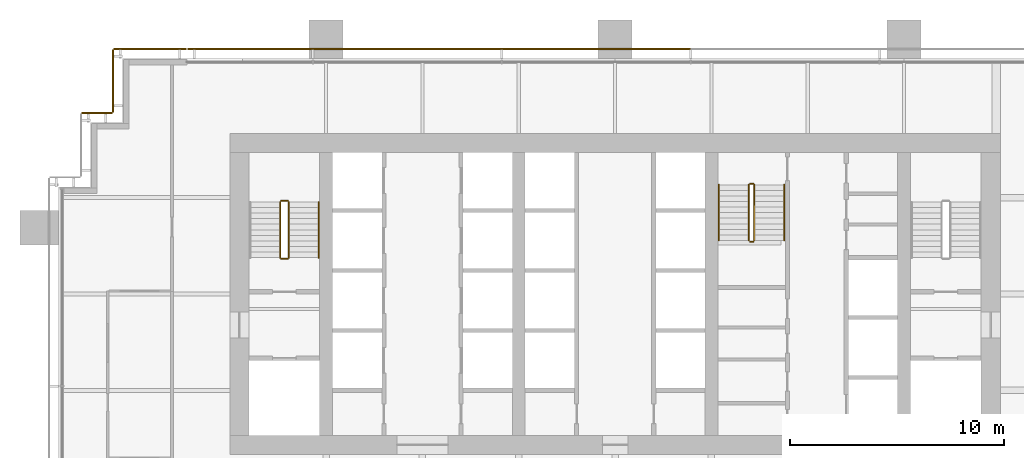
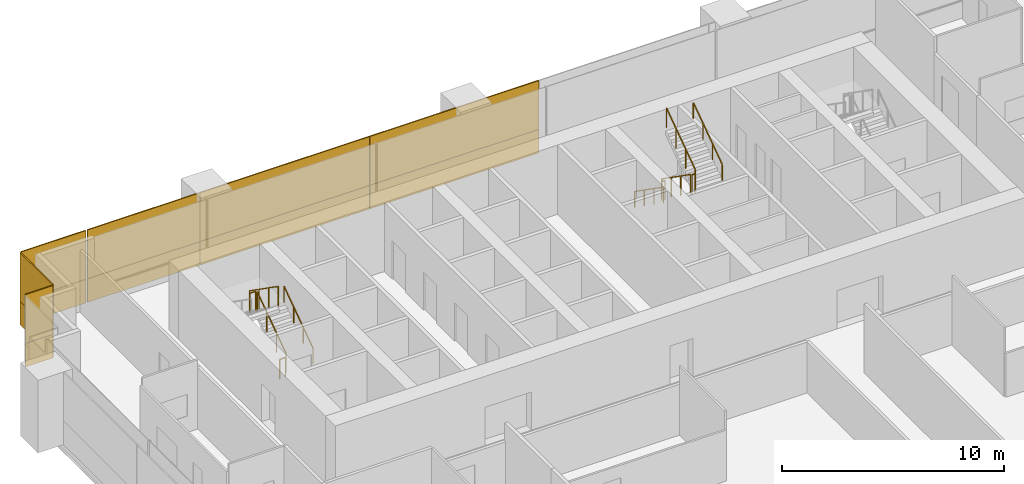
# One storey, part 18 of 19: 12 coverings, 11 railings.
"""IFC4 building model written with IfcOpenShell, lengths in metres."""

from ifc_helpers import new_model, si_unit, direction, frame, origin, origin_2d, place, context, subcontext, project, spatial, rectangle, extrude, material, layer, layer_set, type_object, element, save


model = new_model("IFC4")

# Units and contexts
model_context = context("Model", 3, precision=1e-05, world=origin(), true_north=direction((0.0, 1.0)))
body_context = subcontext(model_context, "Body", "Model", "MODEL_VIEW")
ifc_project = project(units=[si_unit("LENGTHUNIT", "METRE"), si_unit("AREAUNIT", "SQUARE_METRE"), si_unit("VOLUMEUNIT", "CUBIC_METRE"), si_unit("PLANEANGLEUNIT", "RADIAN"), si_unit("MASSUNIT", "GRAM", prefix="KILO")], contexts=[model_context])

# Site, building, storey
site_placement = place(None, origin())
site = spatial("IfcSite", under=ifc_project, at=site_placement, CompositionType="ELEMENT")
building_placement = place(site_placement, origin())
building = spatial("IfcBuilding", under=site, at=building_placement, Name="Rattan Terrace Tower", CompositionType="ELEMENT")
storey_placement = place(building_placement, frame((0.0, 0.0, 99.699951171875)))
storey = spatial("IfcBuildingStorey", under=building, at=storey_placement, Name="L22", CompositionType="ELEMENT", Elevation=99.699951171875)

# Railings
ifc_material_1 = material(Name="Powder-coated steel guard", Category="steel")
railing_type_1 = type_object("IfcRailingType", Name="Core stair guard", PredefinedType="GUARDRAIL", material=ifc_material_1)
railing_1_placement = place(storey_placement, frame((-15.25, 1.699951171875, 0.181884765625)))
element("IfcRailing", 1, at=railing_1_placement, inside=storey, type_object=railing_type_1, Name="L22 S1 stair guard 1", PredefinedType="GUARDRAIL", context=body_context, shape_type="SweptSolid", body=[
    extrude(rectangle(XDim=0.048095703125, YDim=0.048095703125, at=origin_2d()), frame((0.0, 0.0, 1.076171875), z_axis=(0.0, 0.819521025635, 0.573049115296), x_axis=(-1.0, 0.0, 0.0)), (0.0, 0.0, 1.0), 3.172607421875),
    extrude(rectangle(XDim=0.0419921875, YDim=0.0419921875, at=origin_2d()), origin(), (0.0, 0.0, 1.0), 1.052001953125),
    extrude(rectangle(XDim=0.0419921875, YDim=0.0419921875, at=origin_2d()), frame((0.0, 0.86669921875, 0.60595703125)), (0.0, 0.0, 1.0), 1.052001953125),
    extrude(rectangle(XDim=0.0419921875, YDim=0.0419921875, at=origin_2d()), frame((0.0, 1.7333984375, 1.212158203125)), (0.0, 0.0, 1.0), 1.052001953125),
    extrude(rectangle(XDim=0.0419921875, YDim=0.0419921875, at=origin_2d()), frame((0.0, 2.60009765625, 1.818115234375)), (0.0, 0.0, 1.0), 1.052001953125),
])
railing_2_placement = place(storey_placement, frame((-15.300048828125, 4.35009765625, 2.0)))
element("IfcRailing", 2, at=railing_2_placement, inside=storey, type_object=railing_type_1, Name="L22 S1 stair guard 2", PredefinedType="GUARDRAIL", context=body_context, shape_type="SweptSolid", body=[
    extrude(rectangle(XDim=0.048095703125, YDim=0.048095703125, at=origin_2d()), frame((0.0, 0.0, 1.076171875), z_axis=(-1.0, 0.0, 0.0), x_axis=(0.0, -1.0, 0.0)), (0.0, 0.0, 1.0), 0.300048828125),
    extrude(rectangle(XDim=0.0419921875, YDim=0.0419921875, at=origin_2d()), origin(), (0.0, 0.0, 1.0), 1.052001953125),
    extrude(rectangle(XDim=0.0419921875, YDim=0.0419921875, at=origin_2d()), frame((-0.300048828125, 0.0, 0.0)), (0.0, 0.0, 1.0), 1.052001953125),
])
railing_3_placement = place(storey_placement, frame((-15.64990234375, 4.300048828125, 2.181884765625)))
element("IfcRailing", 3, at=railing_3_placement, inside=storey, type_object=railing_type_1, Name="L22 S1 stair guard 3", PredefinedType="GUARDRAIL", context=body_context, shape_type="SweptSolid", body=[
    extrude(rectangle(XDim=0.048095703125, YDim=0.048095703125, at=origin_2d()), frame((0.0, 0.0, 1.076171875), z_axis=(0.0, -0.819521025635, 0.573049115296), x_axis=(1.0, 0.0, 0.0)), (0.0, 0.0, 1.0), 3.172607421875),
    extrude(rectangle(XDim=0.0419921875, YDim=0.0419921875, at=origin_2d()), origin(), (0.0, 0.0, 1.0), 1.052001953125),
    extrude(rectangle(XDim=0.0419921875, YDim=0.0419921875, at=origin_2d()), frame((0.0, -0.86669921875, 0.60595703125)), (0.0, 0.0, 1.0), 1.052001953125),
    extrude(rectangle(XDim=0.0419921875, YDim=0.0419921875, at=origin_2d()), frame((0.0, -1.7333984375, 1.212158203125)), (0.0, 0.0, 1.0), 1.052001953125),
    extrude(rectangle(XDim=0.0419921875, YDim=0.0419921875, at=origin_2d()), frame((0.0, -2.60009765625, 1.818115234375)), (0.0, 0.0, 1.0), 1.052001953125),
])
railing_4_placement = place(storey_placement, frame((-15.300048828125, 1.64990234375, 0.0)))
element("IfcRailing", 4, at=railing_4_placement, inside=storey, type_object=railing_type_1, Name="L22 S1 stair guard 4", PredefinedType="GUARDRAIL", context=body_context, shape_type="SweptSolid", body=[
    extrude(rectangle(XDim=0.048095703125, YDim=0.048095703125, at=origin_2d()), frame((0.0, 0.0, 1.076171875), z_axis=(-1.0, 0.0, 0.0), x_axis=(0.0, -1.0, 0.0)), (0.0, 0.0, 1.0), 0.300048828125),
    extrude(rectangle(XDim=0.0419921875, YDim=0.0419921875, at=origin_2d()), origin(), (0.0, 0.0, 1.0), 1.052001953125),
    extrude(rectangle(XDim=0.0419921875, YDim=0.0419921875, at=origin_2d()), frame((-0.300048828125, 0.0, 0.0)), (0.0, 0.0, 1.0), 1.052001953125),
])
railing_5_placement = place(storey_placement, frame((6.25, 5.10009765625, 0.181884765625)))
element("IfcRailing", 5, at=railing_5_placement, inside=storey, type_object=railing_type_1, Name="L22 S3 stair guard 1", PredefinedType="GUARDRAIL", context=body_context, shape_type="SweptSolid", body=[
    extrude(rectangle(XDim=0.048095703125, YDim=0.048095703125, at=origin_2d()), frame((0.0, 0.0, 1.076171875), z_axis=(0.0, -0.819521025635, 0.573049115296), x_axis=(1.0, 0.0, 0.0)), (0.0, 0.0, 1.0), 3.172607421875),
    extrude(rectangle(XDim=0.0419921875, YDim=0.0419921875, at=origin_2d()), origin(), (0.0, 0.0, 1.0), 1.052001953125),
    extrude(rectangle(XDim=0.0419921875, YDim=0.0419921875, at=origin_2d()), frame((0.0, -0.86669921875, 0.60595703125)), (0.0, 0.0, 1.0), 1.052001953125),
    extrude(rectangle(XDim=0.0419921875, YDim=0.0419921875, at=origin_2d()), frame((0.0, -1.7333984375, 1.212158203125)), (0.0, 0.0, 1.0), 1.052001953125),
    extrude(rectangle(XDim=0.0419921875, YDim=0.0419921875, at=origin_2d()), frame((0.0, -2.60009765625, 1.818115234375)), (0.0, 0.0, 1.0), 1.052001953125),
])
railing_6_placement = place(storey_placement, frame((6.300048828125, 2.449951171875, 2.0)))
element("IfcRailing", 6, at=railing_6_placement, inside=storey, type_object=railing_type_1, Name="L22 S3 stair guard 2", PredefinedType="GUARDRAIL", context=body_context, shape_type="SweptSolid", body=[
    extrude(rectangle(XDim=0.048095703125, YDim=0.048095703125, at=origin_2d()), frame((0.0, 0.0, 1.076171875), z_axis=(1.0, 0.0, 0.0), x_axis=(0.0, 1.0, 0.0)), (0.0, 0.0, 1.0), 0.14990234375),
    extrude(rectangle(XDim=0.0419921875, YDim=0.0419921875, at=origin_2d()), origin(), (0.0, 0.0, 1.0), 1.052001953125),
    extrude(rectangle(XDim=0.0419921875, YDim=0.0419921875, at=origin_2d()), frame((0.14990234375, 0.0, 0.0)), (0.0, 0.0, 1.0), 1.052001953125),
])
railing_7_placement = place(storey_placement, frame((6.5, 2.5, 2.181884765625)))
element("IfcRailing", 7, at=railing_7_placement, inside=storey, type_object=railing_type_1, Name="L22 S3 stair guard 3", PredefinedType="GUARDRAIL", context=body_context, shape_type="SweptSolid", body=[
    extrude(rectangle(XDim=0.048095703125, YDim=0.048095703125, at=origin_2d()), frame((0.0, 0.0, 1.076171875), z_axis=(0.0, 0.819521025635, 0.573049115296), x_axis=(-1.0, 0.0, 0.0)), (0.0, 0.0, 1.0), 3.172607421875),
    extrude(rectangle(XDim=0.0419921875, YDim=0.0419921875, at=origin_2d()), origin(), (0.0, 0.0, 1.0), 1.052001953125),
    extrude(rectangle(XDim=0.0419921875, YDim=0.0419921875, at=origin_2d()), frame((0.0, 0.86669921875, 0.60595703125)), (0.0, 0.0, 1.0), 1.052001953125),
    extrude(rectangle(XDim=0.0419921875, YDim=0.0419921875, at=origin_2d()), frame((0.0, 1.7333984375, 1.212158203125)), (0.0, 0.0, 1.0), 1.052001953125),
    extrude(rectangle(XDim=0.0419921875, YDim=0.0419921875, at=origin_2d()), frame((0.0, 2.60009765625, 1.818115234375)), (0.0, 0.0, 1.0), 1.052001953125),
])
railing_8_placement = place(storey_placement, frame((6.300048828125, 5.14990234375, 0.0)))
element("IfcRailing", 8, at=railing_8_placement, inside=storey, type_object=railing_type_1, Name="L22 S3 stair guard 4", PredefinedType="GUARDRAIL", context=body_context, shape_type="SweptSolid", body=[
    extrude(rectangle(XDim=0.048095703125, YDim=0.048095703125, at=origin_2d()), frame((0.0, 0.0, 1.076171875), z_axis=(1.0, 0.0, 0.0), x_axis=(0.0, 1.0, 0.0)), (0.0, 0.0, 1.0), 0.14990234375),
    extrude(rectangle(XDim=0.0419921875, YDim=0.0419921875, at=origin_2d()), origin(), (0.0, 0.0, 1.0), 1.052001953125),
    extrude(rectangle(XDim=0.0419921875, YDim=0.0419921875, at=origin_2d()), frame((0.14990234375, 0.0, 0.0)), (0.0, 0.0, 1.0), 1.052001953125),
])
ifc_material_2 = material(Name="Powder-coated steel handrail", Category="steel")
railing_type_2 = type_object("IfcRailingType", Name="Core stair handrail", PredefinedType="HANDRAIL", material=ifc_material_2)
railing_9_placement = place(storey_placement, frame((-13.85009765625, 1.699951171875, 0.181884765625)))
element("IfcRailing", 9, at=railing_9_placement, inside=storey, type_object=railing_type_2, Name="L22 S1 stair handrail 1", PredefinedType="HANDRAIL", context=body_context, shape_type="SweptSolid", body=[
    extrude(rectangle(XDim=0.048095703125, YDim=0.048095703125, at=origin_2d()), frame((0.0, 0.0, 0.8759765625), z_axis=(0.0, 0.819521025635, 0.573049115296), x_axis=(-1.0, 0.0, 0.0)), (0.0, 0.0, 1.0), 3.172607421875),
    extrude(rectangle(XDim=0.0419921875, YDim=0.0419921875, at=origin_2d()), origin(), (0.0, 0.0, 1.0), 0.851806640625),
    extrude(rectangle(XDim=0.0419921875, YDim=0.0419921875, at=origin_2d()), frame((0.0, 0.86669921875, 0.60595703125)), (0.0, 0.0, 1.0), 0.851806640625),
    extrude(rectangle(XDim=0.0419921875, YDim=0.0419921875, at=origin_2d()), frame((0.0, 1.7333984375, 1.212158203125)), (0.0, 0.0, 1.0), 0.851806640625),
    extrude(rectangle(XDim=0.0419921875, YDim=0.0419921875, at=origin_2d()), frame((0.0, 2.60009765625, 1.818115234375)), (0.0, 0.0, 1.0), 0.851806640625),
])
railing_10_placement = place(storey_placement, frame((4.85009765625, 5.10009765625, 0.181884765625)))
element("IfcRailing", 10, at=railing_10_placement, inside=storey, type_object=railing_type_2, Name="L22 S3 stair handrail 1", PredefinedType="HANDRAIL", context=body_context, shape_type="SweptSolid", body=[
    extrude(rectangle(XDim=0.048095703125, YDim=0.048095703125, at=origin_2d()), frame((0.0, 0.0, 0.8759765625), z_axis=(0.0, -0.819521025635, 0.573049115296), x_axis=(1.0, 0.0, 0.0)), (0.0, 0.0, 1.0), 3.172607421875),
    extrude(rectangle(XDim=0.0419921875, YDim=0.0419921875, at=origin_2d()), origin(), (0.0, 0.0, 1.0), 0.851806640625),
    extrude(rectangle(XDim=0.0419921875, YDim=0.0419921875, at=origin_2d()), frame((0.0, -0.86669921875, 0.60595703125)), (0.0, 0.0, 1.0), 0.851806640625),
    extrude(rectangle(XDim=0.0419921875, YDim=0.0419921875, at=origin_2d()), frame((0.0, -1.7333984375, 1.212158203125)), (0.0, 0.0, 1.0), 0.851806640625),
    extrude(rectangle(XDim=0.0419921875, YDim=0.0419921875, at=origin_2d()), frame((0.0, -2.60009765625, 1.818115234375)), (0.0, 0.0, 1.0), 0.851806640625),
])
railing_11_placement = place(storey_placement, frame((7.89990234375, 2.5, 2.181884765625)))
element("IfcRailing", 11, at=railing_11_placement, inside=storey, type_object=railing_type_2, Name="L22 S3 stair handrail 2", PredefinedType="HANDRAIL", context=body_context, shape_type="SweptSolid", body=[
    extrude(rectangle(XDim=0.048095703125, YDim=0.048095703125, at=origin_2d()), frame((0.0, 0.0, 0.8759765625), z_axis=(0.0, 0.819521025635, 0.573049115296), x_axis=(-1.0, 0.0, 0.0)), (0.0, 0.0, 1.0), 3.172607421875),
    extrude(rectangle(XDim=0.0419921875, YDim=0.0419921875, at=origin_2d()), origin(), (0.0, 0.0, 1.0), 0.851806640625),
    extrude(rectangle(XDim=0.0419921875, YDim=0.0419921875, at=origin_2d()), frame((0.0, 0.86669921875, 0.60595703125)), (0.0, 0.0, 1.0), 0.851806640625),
    extrude(rectangle(XDim=0.0419921875, YDim=0.0419921875, at=origin_2d()), frame((0.0, 1.7333984375, 1.212158203125)), (0.0, 0.0, 1.0), 0.851806640625),
    extrude(rectangle(XDim=0.0419921875, YDim=0.0419921875, at=origin_2d()), frame((0.0, 2.60009765625, 1.818115234375)), (0.0, 0.0, 1.0), 0.851806640625),
])

# Coverings
ifc_material_3 = material(Name="Solid terracotta", Category="masonry")
ifc_layer_1 = layer(ifc_material_3, 0.06005859375)
ifc_layer_set_1 = layer_set([ifc_layer_1], Name="Facade Terracotta Band Panel")
covering_type_1 = type_object("IfcCoveringType", Name="Facade Terracotta Band Panel", PredefinedType="CLADDING", material=ifc_layer_set_1)
for number, where, z_axis, x_axis, name in (
    (12, (-0.880615234375, 11.449951171875, -0.18994140625), (0.0, 0.0, 1.0), (-1.0, 0.0, 0.0), "OUTER SKIN panel L22-18A"),
    (13, (-9.70361328125, 11.449951171875, -0.18994140625), (0.0, 0.0, 1.0), (-1.0, 0.0, 0.0), "OUTER SKIN panel L22-19A"),
):
    element("IfcCovering", number, at=place(storey_placement, frame(where, z_axis=z_axis, x_axis=x_axis)), inside=storey, type_object=covering_type_1, Name=name, PredefinedType="CLADDING", context=body_context, shape_type="SweptSolid", body=[
        extrude(rectangle(XDim=8.802978515625, YDim=0.06005859375, at=origin_2d()), origin(), (0.0, 0.0, 1.0), 1.300048828125),
    ])
covering_1_placement = place(storey_placement, frame((-17.04248046875, 11.449951171875, -0.18994140625), z_axis=(0.0, 0.0, 1.0), x_axis=(-1.0, 0.0, 0.0)))
element("IfcCovering", 14, at=covering_1_placement, inside=storey, type_object=covering_type_1, Name="OUTER SKIN panel L22-20A", PredefinedType="CLADDING", context=body_context, shape_type="SweptSolid", body=[
    extrude(rectangle(XDim=5.8349609375, YDim=0.06005859375, at=origin_2d()), origin(), (0.0, 0.0, 1.0), 1.300048828125),
])
covering_2_placement = place(storey_placement, frame((-21.72509765625, 11.449951171875, -0.18994140625), z_axis=(0.0, 0.0, 1.0), x_axis=(-1.0, 0.0, 0.0)))
element("IfcCovering", 15, at=covering_2_placement, inside=storey, type_object=covering_type_1, Name="OUTER SKIN panel L22-21A", PredefinedType="CLADDING", context=body_context, shape_type="SweptSolid", body=[
    extrude(rectangle(XDim=3.3701171875, YDim=0.06005859375, at=origin_2d()), origin(), (0.0, 0.0, 1.0), 1.300048828125),
])
covering_3_placement = place(storey_placement, frame((-23.449951171875, 9.949951171875, -0.18994140625), z_axis=(0.0, 0.0, 1.0), x_axis=(0.0, -1.0, 0.0)))
element("IfcCovering", 16, at=covering_3_placement, inside=storey, type_object=covering_type_1, Name="OUTER SKIN panel L22-22A", PredefinedType="CLADDING", context=body_context, shape_type="SweptSolid", body=[
    extrude(rectangle(XDim=2.919921875, YDim=0.06005859375, at=origin_2d()), origin(), (0.0, 0.0, 1.0), 1.300048828125),
])
covering_4_placement = place(storey_placement, frame((-24.199951171875, 8.449951171875, -0.18994140625), z_axis=(0.0, 0.0, 1.0), x_axis=(-1.0, 0.0, 0.0)))
element("IfcCovering", 17, at=covering_4_placement, inside=storey, type_object=covering_type_1, Name="OUTER SKIN panel L22-23A", PredefinedType="CLADDING", context=body_context, shape_type="SweptSolid", body=[
    extrude(rectangle(XDim=1.419921875, YDim=0.06005859375, at=origin_2d()), origin(), (0.0, 0.0, 1.0), 1.300048828125),
])
ifc_material_4 = material(Name="Perforated terracotta", Category="masonry")
ifc_layer_2 = layer(ifc_material_4, 0.06005859375)
ifc_layer_set_2 = layer_set([ifc_layer_2], Name="Facade Terracotta Screen Panel")
covering_type_2 = type_object("IfcCoveringType", Name="Facade Terracotta Screen Panel", PredefinedType="CLADDING", material=ifc_layer_set_2)
for number, where, z_axis, x_axis, name in (
    (18, (-0.880615234375, 11.449951171875, 1.10986328125), (0.0, 0.0, 1.0), (-1.0, 0.0, 0.0), "OUTER SKIN panel L22-18B"),
    (19, (-9.70361328125, 11.449951171875, 1.10986328125), (0.0, 0.0, 1.0), (-1.0, 0.0, 0.0), "OUTER SKIN panel L22-19B"),
):
    element("IfcCovering", number, at=place(storey_placement, frame(where, z_axis=z_axis, x_axis=x_axis)), inside=storey, type_object=covering_type_2, Name=name, PredefinedType="CLADDING", context=body_context, shape_type="SweptSolid", body=[
        extrude(rectangle(XDim=8.802978515625, YDim=0.06005859375, at=origin_2d()), origin(), (0.0, 0.0, 1.0), 2.679931640625),
    ])
covering_5_placement = place(storey_placement, frame((-17.04248046875, 11.449951171875, 1.10986328125), z_axis=(0.0, 0.0, 1.0), x_axis=(-1.0, 0.0, 0.0)))
element("IfcCovering", 20, at=covering_5_placement, inside=storey, type_object=covering_type_2, Name="OUTER SKIN panel L22-20B", PredefinedType="CLADDING", context=body_context, shape_type="SweptSolid", body=[
    extrude(rectangle(XDim=5.8349609375, YDim=0.06005859375, at=origin_2d()), origin(), (0.0, 0.0, 1.0), 2.679931640625),
])
covering_6_placement = place(storey_placement, frame((-21.72509765625, 11.449951171875, 1.10986328125), z_axis=(0.0, 0.0, 1.0), x_axis=(-1.0, 0.0, 0.0)))
element("IfcCovering", 21, at=covering_6_placement, inside=storey, type_object=covering_type_2, Name="OUTER SKIN panel L22-21B", PredefinedType="CLADDING", context=body_context, shape_type="SweptSolid", body=[
    extrude(rectangle(XDim=3.3701171875, YDim=0.06005859375, at=origin_2d()), origin(), (0.0, 0.0, 1.0), 2.679931640625),
])
covering_7_placement = place(storey_placement, frame((-23.449951171875, 9.949951171875, 1.10986328125), z_axis=(0.0, 0.0, 1.0), x_axis=(0.0, -1.0, 0.0)))
element("IfcCovering", 22, at=covering_7_placement, inside=storey, type_object=covering_type_2, Name="OUTER SKIN panel L22-22B", PredefinedType="CLADDING", context=body_context, shape_type="SweptSolid", body=[
    extrude(rectangle(XDim=2.919921875, YDim=0.06005859375, at=origin_2d()), origin(), (0.0, 0.0, 1.0), 2.679931640625),
])
covering_8_placement = place(storey_placement, frame((-24.199951171875, 8.449951171875, 1.10986328125), z_axis=(0.0, 0.0, 1.0), x_axis=(-1.0, 0.0, 0.0)))
element("IfcCovering", 23, at=covering_8_placement, inside=storey, type_object=covering_type_2, Name="OUTER SKIN panel L22-23B", PredefinedType="CLADDING", context=body_context, shape_type="SweptSolid", body=[
    extrude(rectangle(XDim=1.419921875, YDim=0.06005859375, at=origin_2d()), origin(), (0.0, 0.0, 1.0), 2.679931640625),
])

save(model, "model.ifc")
